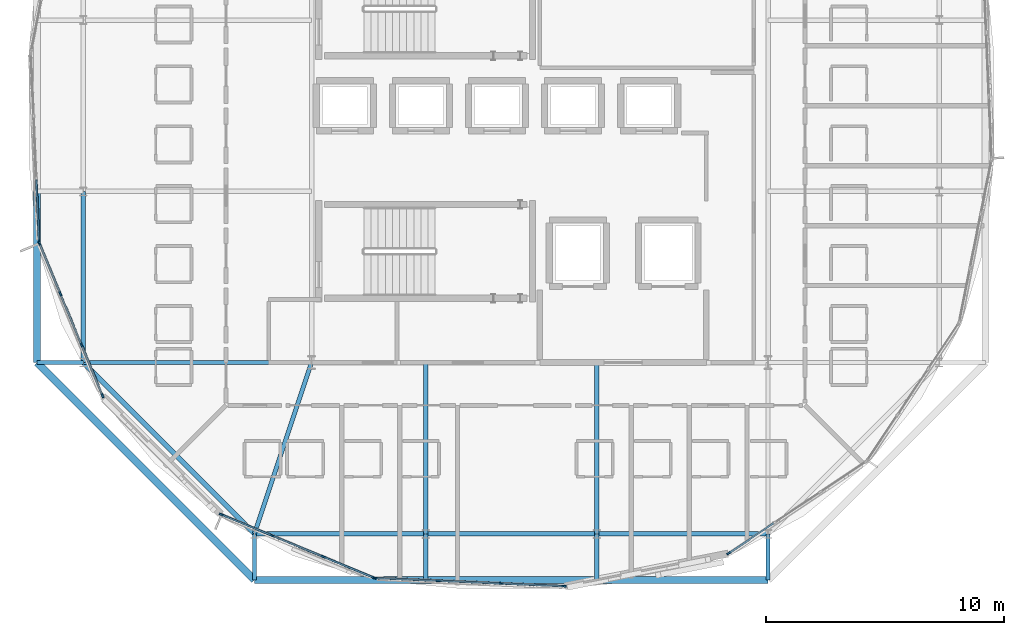
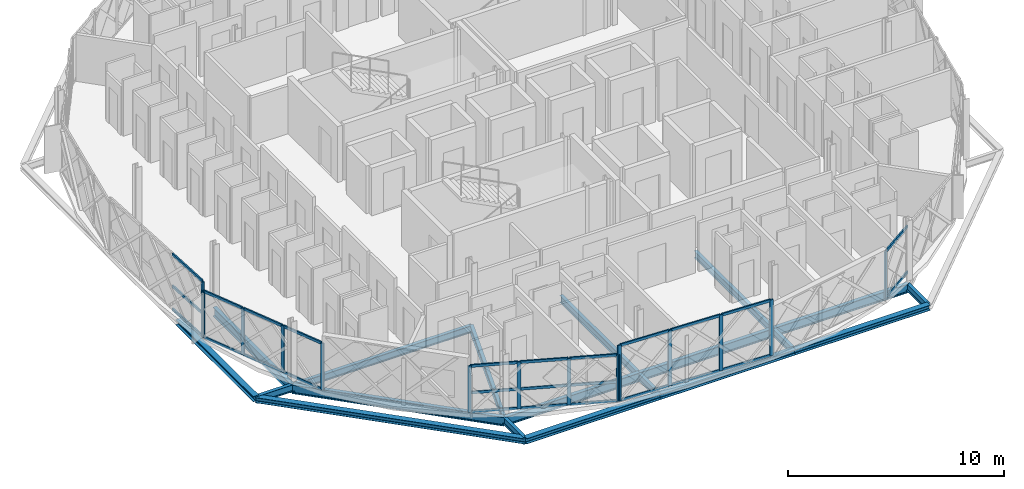
# One storey, part 4 of 24: 40 members, 19 beams, 5 elements without a shape of their own.
"""IFC4 building model written with IfcOpenShell, lengths in metres."""

from ifc_helpers import new_model, si_unit, direction, frame, origin, origin_2d, place, context, subcontext, project, spatial, rectangle, i_section, extrude, material, layer, layer_set, material_profile, profile_set, type_object, element, aggregate, save


model = new_model("IFC4")

# Units and contexts
model_context = context("Model", 3, precision=1e-05, world=origin(), true_north=direction((0.0, 1.0)))
body_context = subcontext(model_context, "Body", "Model", "MODEL_VIEW")
ifc_project = project(units=[si_unit("LENGTHUNIT", "METRE"), si_unit("AREAUNIT", "SQUARE_METRE"), si_unit("VOLUMEUNIT", "CUBIC_METRE"), si_unit("PLANEANGLEUNIT", "RADIAN"), si_unit("MASSUNIT", "GRAM", prefix="KILO")], contexts=[model_context])

# Site, building, storey
site_placement = place(None, origin())
site = spatial("IfcSite", under=ifc_project, at=site_placement, CompositionType="ELEMENT")
building_placement = place(site_placement, origin())
building = spatial("IfcBuilding", under=site, at=building_placement, Name="Zevrakil Square Congress Hotel", CompositionType="ELEMENT")
storey_placement = place(building_placement, frame((0.0, 0.0, 35.10009765625)))
storey = spatial("IfcBuildingStorey", under=building, at=storey_placement, Name="L10", CompositionType="ELEMENT", Elevation=35.10009765625)

# Beams
ifc_material_1 = material(Name="Steel S355", Category="steel")
ifc_material_profile_1 = material_profile(ifc_material_1, i_section(OverallWidth=0.199951171875, OverallDepth=0.5, WebThickness=0.01025390625, FlangeThickness=0.01611328125, FilletRadius=0.02099609375, at=origin_2d()), Name="IPE 500")
ifc_profile_set_1 = profile_set([ifc_material_profile_1], Name="Steel S355")
beam_type_1 = type_object("IfcBeamType", Name="BM-IPE500", PredefinedType="BEAM", material=ifc_profile_set_1)
beam_1_placement = place(storey_placement, frame((134.39990234375, 9.60009765625, -0.47998046875), z_axis=(1.0, 0.0, 0.0), x_axis=(0.0, 1.0, 0.0)))
element("IfcBeam", 1, at=beam_1_placement, inside=storey, type_object=beam_type_1, Name="L10 drum ring girder DRB-01", PredefinedType="BEAM", context=body_context, shape_type="SweptSolid", body=[
    extrude(i_section(OverallWidth=0.199951171875, OverallDepth=0.5, WebThickness=0.01025390625, FlangeThickness=0.01611328125, FilletRadius=0.02099609375, at=origin_2d()), origin(), (0.0, 0.0, 1.0), 7.2001953125),
])
for number, where, z_axis, x_axis, name in (
    (2, (141.60009765625, 9.60009765625, -0.47998046875), (1.0, 0.0, 0.0), (0.0, 1.0, 0.0), "L10 drum ring girder DRB-02"),
    (3, (148.800048828125, 9.60009765625, -0.47998046875), (1.0, 0.0, 0.0), (0.0, 1.0, 0.0), "L10 drum ring girder DRB-03"),
    (4, (127.199951171875, 24.0, -0.47998046875), (0.0, -1.0, 0.0), (1.0, 0.0, 0.0), "L10 drum ring girder DRB-15"),
):
    element("IfcBeam", number, at=place(storey_placement, frame(where, z_axis=z_axis, x_axis=x_axis)), inside=storey, type_object=beam_type_1, Name=name, PredefinedType="BEAM", context=body_context, shape_type="SweptSolid", body=[
        extrude(i_section(OverallWidth=0.199951171875, OverallDepth=0.5, WebThickness=0.01025390625, FlangeThickness=0.01611328125, FilletRadius=0.02099609375, at=origin_2d()), origin(), (0.0, 0.0, 1.0), 7.199951171875),
    ])
beam_2_placement = place(storey_placement, frame((127.199951171875, 16.800048828125, -0.47998046875), z_axis=(0.707106781187, -0.707106781187, 0.0), x_axis=(0.707106781187, 0.707106781187, 0.0)))
element("IfcBeam", 5, at=beam_2_placement, inside=storey, type_object=beam_type_1, Name="L10 drum ring girder DRB-16", PredefinedType="BEAM", context=body_context, shape_type="SweptSolid", body=[
    extrude(i_section(OverallWidth=0.199951171875, OverallDepth=0.5, WebThickness=0.01025390625, FlangeThickness=0.01611328125, FilletRadius=0.02099609375, at=origin_2d()), origin(), (0.0, 0.0, 1.0), 10.182373046875),
])

# Curtain wall, members
ifc_material_2 = material(Name="Aluminium Anodised Bronze", Category="aluminium")
ifc_layer_1 = layer(ifc_material_2, 0.179931640625)
ifc_layer_set_1 = layer_set([ifc_layer_1], Name="Aluminium Anodised Bronze")
curtain_wall_type_1 = type_object("IfcCurtainWallType", Name="CW-L10-720", PredefinedType="USERDEFINED", material=ifc_layer_set_1)
curtain_wall_1_placement = place(storey_placement, origin())
curtain_wall_1 = element("IfcCurtainWall", 6, at=curtain_wall_1_placement, inside=storey, type_object=curtain_wall_type_1, Name="L10 diamond curtain wall CW-L10-0271", ObjectType="GLAZED CURTAIN WALL", PredefinedType="USERDEFINED")
ifc_material_3 = material(Name="Aluminium Anodised Bronze", Category="aluminium")
ifc_material_profile_2 = material_profile(ifc_material_3, rectangle(XDim=0.074951171875, YDim=0.14990234375, at=origin_2d()), Name="ALU 75x150")
ifc_profile_set_2 = profile_set([ifc_material_profile_2], Name="Aluminium Anodised Bronze")
member_type_1 = type_object("IfcMemberType", Name="CWM-ALU75x150", PredefinedType="USERDEFINED", material=ifc_profile_set_2)
member_1_placement = place(storey_placement, frame((154.367919921875, 8.798095703125, 0.02978515625), z_axis=(0.831497842201, 0.555527981667, 0.0), x_axis=(-0.555527981667, 0.831497842201, 0.0)))
member_1 = element("IfcMember", 7, at=member_1_placement, type_object=member_type_1, Name="CW-118 transom 1.1", ObjectType="TRANSOM", PredefinedType="USERDEFINED", context=body_context, shape_type="SweptSolid", body=[
    extrude(rectangle(XDim=0.074951171875, YDim=0.14990234375, at=origin_2d()), origin(), (0.0, 0.0, 1.0), 2.245361328125),
])
member_2_placement = place(storey_placement, frame((154.367919921875, 8.798095703125, 2.619873046875), z_axis=(0.831497842201, 0.555527981667, 0.0), x_axis=(-0.555527981667, 0.831497842201, 0.0)))
member_2 = element("IfcMember", 8, at=member_2_placement, type_object=member_type_1, Name="CW-118 transom 1.2", ObjectType="TRANSOM", PredefinedType="USERDEFINED", context=body_context, shape_type="SweptSolid", body=[
    extrude(rectangle(XDim=0.074951171875, YDim=0.14990234375, at=origin_2d()), origin(), (0.0, 0.0, 1.0), 2.245361328125),
])

ifc_material_4 = material(Name="Aluminium Anodised Bronze", Category="aluminium")
ifc_layer_2 = layer(ifc_material_4, 0.179931640625)
ifc_layer_set_2 = layer_set([ifc_layer_2], Name="Aluminium Anodised Bronze")
curtain_wall_type_2 = type_object("IfcCurtainWallType", Name="CW-L10-840", PredefinedType="USERDEFINED", material=ifc_layer_set_2)
curtain_wall_2_placement = place(storey_placement, origin())
curtain_wall_2 = element("IfcCurtainWall", 9, at=curtain_wall_2_placement, inside=storey, type_object=curtain_wall_type_2, Name="L10 diamond curtain wall CW-L10-0282", ObjectType="GLAZED CURTAIN WALL", PredefinedType="USERDEFINED")
member_3_placement = place(storey_placement, frame((125.229248046875, 24.48583984375, 0.02978515625), z_axis=(0.043087908492, -0.999071284815, 0.0), x_axis=(0.999071284815, 0.043087908492, 0.0)))
member_3 = element("IfcMember", 10, at=member_3_placement, type_object=member_type_1, Name="CW-119 transom 3.1", ObjectType="TRANSOM", PredefinedType="USERDEFINED", context=body_context, shape_type="SweptSolid", body=[
    extrude(rectangle(XDim=0.074951171875, YDim=0.14990234375, at=origin_2d()), origin(), (0.0, 0.0, 1.0), 2.578125),
])
member_4_placement = place(storey_placement, frame((125.229248046875, 24.48583984375, 1.3291015625), z_axis=(0.043087908492, -0.999071284815, 0.0), x_axis=(0.999071284815, 0.043087908492, 0.0)))
member_4 = element("IfcMember", 11, at=member_4_placement, type_object=member_type_1, Name="CW-119 transom 3.2", ObjectType="TRANSOM", PredefinedType="USERDEFINED", context=body_context, shape_type="SweptSolid", body=[
    extrude(rectangle(XDim=0.074951171875, YDim=0.14990234375, at=origin_2d()), origin(), (0.0, 0.0, 1.0), 2.578125),
])
member_5_placement = place(storey_placement, frame((125.229248046875, 24.48583984375, 3.135009765625), z_axis=(0.043087908492, -0.999071284815, 0.0), x_axis=(0.999071284815, 0.043087908492, 0.0)))
member_5 = element("IfcMember", 12, at=member_5_placement, type_object=member_type_1, Name="CW-119 transom 3.3", ObjectType="TRANSOM", PredefinedType="USERDEFINED", context=body_context, shape_type="SweptSolid", body=[
    extrude(rectangle(XDim=0.074951171875, YDim=0.14990234375, at=origin_2d()), origin(), (0.0, 0.0, 1.0), 2.578125),
])

curtain_wall_3_placement = place(storey_placement, origin())
curtain_wall_3 = element("IfcCurtainWall", 13, at=curtain_wall_3_placement, inside=storey, type_object=curtain_wall_type_1, Name="L10 diamond curtain wall CW-L10-0283", ObjectType="GLAZED CURTAIN WALL", PredefinedType="USERDEFINED")
member_6_placement = place(storey_placement, frame((125.365966796875, 21.794677734375, 0.02978515625), z_axis=(0.382668727465, -0.923885623343, 0.0), x_axis=(0.923885623343, 0.382668727465, 0.0)))
member_6 = element("IfcMember", 14, at=member_6_placement, type_object=member_type_1, Name="CW-118 transom 1.1", ObjectType="TRANSOM", PredefinedType="USERDEFINED", context=body_context, shape_type="SweptSolid", body=[
    extrude(rectangle(XDim=0.074951171875, YDim=0.14990234375, at=origin_2d()), origin(), (0.0, 0.0, 1.0), 2.2451171875),
])
member_7_placement = place(storey_placement, frame((125.365966796875, 21.794677734375, 2.619873046875), z_axis=(0.382668727465, -0.923885623343, 0.0), x_axis=(0.923885623343, 0.382668727465, 0.0)))
member_7 = element("IfcMember", 15, at=member_7_placement, type_object=member_type_1, Name="CW-118 transom 1.2", ObjectType="TRANSOM", PredefinedType="USERDEFINED", context=body_context, shape_type="SweptSolid", body=[
    extrude(rectangle(XDim=0.074951171875, YDim=0.14990234375, at=origin_2d()), origin(), (0.0, 0.0, 1.0), 2.2451171875),
])
member_8_placement = place(storey_placement, frame((126.248046875, 19.6650390625, 0.02978515625), z_axis=(0.38274032778, -0.923855963606, 0.0), x_axis=(0.923855963606, 0.38274032778, 0.0)))
member_8 = element("IfcMember", 16, at=member_8_placement, type_object=member_type_1, Name="CW-118 transom 2.1", ObjectType="TRANSOM", PredefinedType="USERDEFINED", context=body_context, shape_type="SweptSolid", body=[
    extrude(rectangle(XDim=0.074951171875, YDim=0.14990234375, at=origin_2d()), origin(), (0.0, 0.0, 1.0), 2.275390625),
])
member_9_placement = place(storey_placement, frame((126.248046875, 19.6650390625, 2.619873046875), z_axis=(0.38274032778, -0.923855963606, 0.0), x_axis=(0.923855963606, 0.38274032778, 0.0)))
member_9 = element("IfcMember", 17, at=member_9_placement, type_object=member_type_1, Name="CW-118 transom 2.2", ObjectType="TRANSOM", PredefinedType="USERDEFINED", context=body_context, shape_type="SweptSolid", body=[
    extrude(rectangle(XDim=0.074951171875, YDim=0.14990234375, at=origin_2d()), origin(), (0.0, 0.0, 1.0), 2.275390625),
])
member_10_placement = place(storey_placement, frame((127.141845703125, 17.507568359375, 0.02978515625), z_axis=(0.382630285552, -0.923901544851, 0.0), x_axis=(0.923901544851, 0.382630285552, 0.0)))
member_10 = element("IfcMember", 18, at=member_10_placement, type_object=member_type_1, Name="CW-118 transom 3.1", ObjectType="TRANSOM", PredefinedType="USERDEFINED", context=body_context, shape_type="SweptSolid", body=[
    extrude(rectangle(XDim=0.074951171875, YDim=0.14990234375, at=origin_2d()), origin(), (0.0, 0.0, 1.0), 2.245361328125),
])
member_11_placement = place(storey_placement, frame((127.141845703125, 17.507568359375, 2.619873046875), z_axis=(0.382630285552, -0.923901544851, 0.0), x_axis=(0.923901544851, 0.382630285552, 0.0)))
member_11 = element("IfcMember", 19, at=member_11_placement, type_object=member_type_1, Name="CW-118 transom 3.2", ObjectType="TRANSOM", PredefinedType="USERDEFINED", context=body_context, shape_type="SweptSolid", body=[
    extrude(rectangle(XDim=0.074951171875, YDim=0.14990234375, at=origin_2d()), origin(), (0.0, 0.0, 1.0), 2.245361328125),
])

curtain_wall_4_placement = place(storey_placement, origin())
curtain_wall_4 = element("IfcCurtainWall", 20, at=curtain_wall_4_placement, inside=storey, type_object=curtain_wall_type_1, Name="L10 diamond curtain wall CW-L10-0284", ObjectType="GLAZED CURTAIN WALL", PredefinedType="USERDEFINED")
member_12_placement = place(storey_placement, frame((133.033203125, 10.401123046875, 0.02978515625), z_axis=(0.923847174836, -0.382761541363, 0.0), x_axis=(0.382761541363, 0.923847174836, 0.0)))
member_12 = element("IfcMember", 21, at=member_12_placement, type_object=member_type_1, Name="CW-118 transom 1.1", ObjectType="TRANSOM", PredefinedType="USERDEFINED", context=body_context, shape_type="SweptSolid", body=[
    extrude(rectangle(XDim=0.074951171875, YDim=0.14990234375, at=origin_2d()), origin(), (0.0, 0.0, 1.0), 2.2451171875),
])
member_13_placement = place(storey_placement, frame((133.033203125, 10.401123046875, 1.11279296875), z_axis=(0.923847174836, -0.382761541363, 0.0), x_axis=(0.382761541363, 0.923847174836, 0.0)))
member_13 = element("IfcMember", 22, at=member_13_placement, type_object=member_type_1, Name="CW-118 transom 1.2", ObjectType="TRANSOM", PredefinedType="USERDEFINED", context=body_context, shape_type="SweptSolid", body=[
    extrude(rectangle(XDim=0.074951171875, YDim=0.14990234375, at=origin_2d()), origin(), (0.0, 0.0, 1.0), 2.2451171875),
])
member_14_placement = place(storey_placement, frame((133.033203125, 10.401123046875, 2.619873046875), z_axis=(0.923847174836, -0.382761541363, 0.0), x_axis=(0.382761541363, 0.923847174836, 0.0)))
member_14 = element("IfcMember", 23, at=member_14_placement, type_object=member_type_1, Name="CW-118 transom 1.3", ObjectType="TRANSOM", PredefinedType="USERDEFINED", context=body_context, shape_type="SweptSolid", body=[
    extrude(rectangle(XDim=0.074951171875, YDim=0.14990234375, at=origin_2d()), origin(), (0.0, 0.0, 1.0), 2.2451171875),
])
member_15_placement = place(storey_placement, frame((135.162841796875, 9.518798828125, 0.02978515625), z_axis=(0.923893901698, -0.382648740238, 0.0), x_axis=(0.382648740238, 0.923893901698, 0.0)))
member_15 = element("IfcMember", 24, at=member_15_placement, type_object=member_type_1, Name="CW-118 transom 2.1", ObjectType="TRANSOM", PredefinedType="USERDEFINED", context=body_context, shape_type="SweptSolid", body=[
    extrude(rectangle(XDim=0.074951171875, YDim=0.14990234375, at=origin_2d()), origin(), (0.0, 0.0, 1.0), 2.275146484375),
])
member_16_placement = place(storey_placement, frame((135.162841796875, 9.518798828125, 1.11279296875), z_axis=(0.923893901698, -0.382648740238, 0.0), x_axis=(0.382648740238, 0.923893901698, 0.0)))
member_16 = element("IfcMember", 25, at=member_16_placement, type_object=member_type_1, Name="CW-118 transom 2.2", ObjectType="TRANSOM", PredefinedType="USERDEFINED", context=body_context, shape_type="SweptSolid", body=[
    extrude(rectangle(XDim=0.074951171875, YDim=0.14990234375, at=origin_2d()), origin(), (0.0, 0.0, 1.0), 2.275146484375),
])
member_17_placement = place(storey_placement, frame((135.162841796875, 9.518798828125, 2.619873046875), z_axis=(0.923893901698, -0.382648740238, 0.0), x_axis=(0.382648740238, 0.923893901698, 0.0)))
member_17 = element("IfcMember", 26, at=member_17_placement, type_object=member_type_1, Name="CW-118 transom 2.3", ObjectType="TRANSOM", PredefinedType="USERDEFINED", context=body_context, shape_type="SweptSolid", body=[
    extrude(rectangle(XDim=0.074951171875, YDim=0.14990234375, at=origin_2d()), origin(), (0.0, 0.0, 1.0), 2.275146484375),
])
member_18_placement = place(storey_placement, frame((137.3203125, 8.625244140625, 0.02978515625), z_axis=(0.923863103406, -0.382723093326, 0.0), x_axis=(0.382723093326, 0.923863103406, 0.0)))
member_18 = element("IfcMember", 27, at=member_18_placement, type_object=member_type_1, Name="CW-118 transom 3.1", ObjectType="TRANSOM", PredefinedType="USERDEFINED", context=body_context, shape_type="SweptSolid", body=[
    extrude(rectangle(XDim=0.074951171875, YDim=0.14990234375, at=origin_2d()), origin(), (0.0, 0.0, 1.0), 2.245361328125),
])
member_19_placement = place(storey_placement, frame((137.3203125, 8.625244140625, 1.11279296875), z_axis=(0.923863103406, -0.382723093326, 0.0), x_axis=(0.382723093326, 0.923863103406, 0.0)))
member_19 = element("IfcMember", 28, at=member_19_placement, type_object=member_type_1, Name="CW-118 transom 3.2", ObjectType="TRANSOM", PredefinedType="USERDEFINED", context=body_context, shape_type="SweptSolid", body=[
    extrude(rectangle(XDim=0.074951171875, YDim=0.14990234375, at=origin_2d()), origin(), (0.0, 0.0, 1.0), 2.245361328125),
])
member_20_placement = place(storey_placement, frame((137.3203125, 8.625244140625, 2.619873046875), z_axis=(0.923863103406, -0.382723093326, 0.0), x_axis=(0.382723093326, 0.923863103406, 0.0)))
member_20 = element("IfcMember", 29, at=member_20_placement, type_object=member_type_1, Name="CW-118 transom 3.3", ObjectType="TRANSOM", PredefinedType="USERDEFINED", context=body_context, shape_type="SweptSolid", body=[
    extrude(rectangle(XDim=0.074951171875, YDim=0.14990234375, at=origin_2d()), origin(), (0.0, 0.0, 1.0), 2.245361328125),
])

curtain_wall_5_placement = place(storey_placement, origin())
curtain_wall_5 = element("IfcCurtainWall", 30, at=curtain_wall_5_placement, inside=storey, type_object=curtain_wall_type_2, Name="L10 diamond curtain wall CW-L10-0285", ObjectType="GLAZED CURTAIN WALL", PredefinedType="USERDEFINED")
member_21_placement = place(storey_placement, frame((139.51025390625, 7.740478515625, 0.02978515625), z_axis=(0.999071284815, -0.043087908492, 0.0), x_axis=(0.043087908492, 0.999071284815, 0.0)))
member_21 = element("IfcMember", 31, at=member_21_placement, type_object=member_type_1, Name="CW-119 transom 1.1", ObjectType="TRANSOM", PredefinedType="USERDEFINED", context=body_context, shape_type="SweptSolid", body=[
    extrude(rectangle(XDim=0.074951171875, YDim=0.14990234375, at=origin_2d()), origin(), (0.0, 0.0, 1.0), 2.578125),
])
member_22_placement = place(storey_placement, frame((139.51025390625, 7.740478515625, 3.135009765625), z_axis=(0.999071284815, -0.043087908492, 0.0), x_axis=(0.043087908492, 0.999071284815, 0.0)))
member_22 = element("IfcMember", 32, at=member_22_placement, type_object=member_type_1, Name="CW-119 transom 1.2", ObjectType="TRANSOM", PredefinedType="USERDEFINED", context=body_context, shape_type="SweptSolid", body=[
    extrude(rectangle(XDim=0.074951171875, YDim=0.14990234375, at=origin_2d()), origin(), (0.0, 0.0, 1.0), 2.578125),
])
member_23_placement = place(storey_placement, frame((142.145751953125, 7.626708984375, 0.02978515625), z_axis=(0.999072512388, -0.043059435557, 0.0), x_axis=(0.043059435557, 0.999072512388, 0.0)))
member_23 = element("IfcMember", 33, at=member_23_placement, type_object=member_type_1, Name="CW-119 transom 2.1", ObjectType="TRANSOM", PredefinedType="USERDEFINED", context=body_context, shape_type="SweptSolid", body=[
    extrude(rectangle(XDim=0.074951171875, YDim=0.14990234375, at=origin_2d()), origin(), (0.0, 0.0, 1.0), 2.608154296875),
])
member_24_placement = place(storey_placement, frame((142.145751953125, 7.626708984375, 3.135009765625), z_axis=(0.999072512388, -0.043059435557, 0.0), x_axis=(0.043059435557, 0.999072512388, 0.0)))
member_24 = element("IfcMember", 34, at=member_24_placement, type_object=member_type_1, Name="CW-119 transom 2.2", ObjectType="TRANSOM", PredefinedType="USERDEFINED", context=body_context, shape_type="SweptSolid", body=[
    extrude(rectangle(XDim=0.074951171875, YDim=0.14990234375, at=origin_2d()), origin(), (0.0, 0.0, 1.0), 2.608154296875),
])
member_25_placement = place(storey_placement, frame((144.811279296875, 7.51171875, 0.02978515625), z_axis=(0.999071284815, -0.043087908492, 0.0), x_axis=(0.043087908492, 0.999071284815, 0.0)))
member_25 = element("IfcMember", 35, at=member_25_placement, type_object=member_type_1, Name="CW-119 transom 3.1", ObjectType="TRANSOM", PredefinedType="USERDEFINED", context=body_context, shape_type="SweptSolid", body=[
    extrude(rectangle(XDim=0.074951171875, YDim=0.14990234375, at=origin_2d()), origin(), (0.0, 0.0, 1.0), 2.578125),
])
member_26_placement = place(storey_placement, frame((144.811279296875, 7.51171875, 3.135009765625), z_axis=(0.999071284815, -0.043087908492, 0.0), x_axis=(0.043087908492, 0.999071284815, 0.0)))
member_26 = element("IfcMember", 36, at=member_26_placement, type_object=member_type_1, Name="CW-119 transom 3.2", ObjectType="TRANSOM", PredefinedType="USERDEFINED", context=body_context, shape_type="SweptSolid", body=[
    extrude(rectangle(XDim=0.074951171875, YDim=0.14990234375, at=origin_2d()), origin(), (0.0, 0.0, 1.0), 2.578125),
])

# Member
ifc_material_5 = material(Name="Aluminium Anodised Bronze", Category="aluminium")
ifc_material_profile_3 = material_profile(ifc_material_5, rectangle(XDim=0.074951171875, YDim=0.179931640625, at=origin_2d()), Name="ALU 75x180")
ifc_profile_set_3 = profile_set([ifc_material_profile_3], Name="Aluminium Anodised Bronze")
member_type_2 = type_object("IfcMemberType", Name="CWM-ALU75x180", PredefinedType="MULLION", material=ifc_profile_set_3)
member_27_placement = place(storey_placement, frame((154.343017578125, 8.78125, 0.0), z_axis=(0.0, 0.0, 1.0), x_axis=(-0.555576098128, 0.831465693332, 0.0)))
member_27 = element("IfcMember", 37, at=member_27_placement, type_object=member_type_2, Name="CW-118 mullion 1", PredefinedType="MULLION", context=body_context, shape_type="SweptSolid", body=[
    extrude(rectangle(XDim=0.074951171875, YDim=0.179931640625, at=origin_2d()), origin(), (0.0, 0.0, 1.0), 2.64990234375),
])

aggregate(curtain_wall_1, [member_27, member_1, member_2])

member_28_placement = place(storey_placement, frame((125.341796875, 21.880126953125, 0.0), z_axis=(0.0, 0.0, 1.0), x_axis=(0.999070669923, 0.043102163504, 0.0)))
member_28 = element("IfcMember", 38, at=member_28_placement, type_object=member_type_2, Name="CW-119 mullion 4", PredefinedType="MULLION", context=body_context, shape_type="SweptSolid", body=[
    extrude(rectangle(XDim=0.074951171875, YDim=0.179931640625, at=origin_2d()), origin(), (0.0, 0.0, 1.0), 3.164794921875),
])

aggregate(curtain_wall_2, [member_28, member_3, member_4, member_5])

member_29_placement = place(storey_placement, frame((125.3544921875, 21.822509765625, 0.0), z_axis=(0.0, 0.0, 1.0), x_axis=(0.92387939537, 0.382683763454, 0.0)))
member_29 = element("IfcMember", 39, at=member_29_placement, type_object=member_type_2, Name="CW-118 mullion 1", PredefinedType="MULLION", context=body_context, shape_type="SweptSolid", body=[
    extrude(rectangle(XDim=0.074951171875, YDim=0.179931640625, at=origin_2d()), origin(), (0.0, 0.0, 1.0), 2.64990234375),
])

member_30_placement = place(storey_placement, frame((126.236572265625, 19.692626953125, 0.0), z_axis=(0.0, 0.0, 1.0), x_axis=(0.92387939537, 0.382683763454, 0.0)))
member_30 = element("IfcMember", 40, at=member_30_placement, type_object=member_type_2, Name="CW-118 mullion 2", PredefinedType="MULLION", context=body_context, shape_type="SweptSolid", body=[
    extrude(rectangle(XDim=0.074951171875, YDim=0.179931640625, at=origin_2d()), origin(), (0.0, 0.0, 1.0), 2.64990234375),
])

member_31_placement = place(storey_placement, frame((127.13037109375, 17.53515625, 0.0), z_axis=(0.0, 0.0, 1.0), x_axis=(0.92387939537, 0.382683763454, 0.0)))
member_31 = element("IfcMember", 41, at=member_31_placement, type_object=member_type_2, Name="CW-118 mullion 3", PredefinedType="MULLION", context=body_context, shape_type="SweptSolid", body=[
    extrude(rectangle(XDim=0.074951171875, YDim=0.179931640625, at=origin_2d()), origin(), (0.0, 0.0, 1.0), 2.64990234375),
])

member_32_placement = place(storey_placement, frame((128.012451171875, 15.405517578125, 0.0), z_axis=(0.0, 0.0, 1.0), x_axis=(0.92387939537, 0.382683763454, 0.0)))
member_32 = element("IfcMember", 42, at=member_32_placement, type_object=member_type_2, Name="CW-118 mullion 4", PredefinedType="MULLION", context=body_context, shape_type="SweptSolid", body=[
    extrude(rectangle(XDim=0.074951171875, YDim=0.179931640625, at=origin_2d()), origin(), (0.0, 0.0, 1.0), 2.64990234375),
])

aggregate(curtain_wall_3, [member_29, member_30, member_31, member_32, member_6, member_7, member_8, member_9, member_10, member_11])

member_33_placement = place(storey_placement, frame((133.00537109375, 10.41259765625, 0.0), z_axis=(0.0, 0.0, 1.0), x_axis=(0.382683763454, 0.92387939537, 0.0)))
member_33 = element("IfcMember", 43, at=member_33_placement, type_object=member_type_2, Name="CW-118 mullion 1", PredefinedType="MULLION", context=body_context, shape_type="SweptSolid", body=[
    extrude(rectangle(XDim=0.074951171875, YDim=0.179931640625, at=origin_2d()), origin(), (0.0, 0.0, 1.0), 2.64990234375),
])

member_34_placement = place(storey_placement, frame((135.13525390625, 9.5302734375, 0.0), z_axis=(0.0, 0.0, 1.0), x_axis=(0.382683763454, 0.92387939537, 0.0)))
member_34 = element("IfcMember", 44, at=member_34_placement, type_object=member_type_2, Name="CW-118 mullion 2", PredefinedType="MULLION", context=body_context, shape_type="SweptSolid", body=[
    extrude(rectangle(XDim=0.074951171875, YDim=0.179931640625, at=origin_2d()), origin(), (0.0, 0.0, 1.0), 2.64990234375),
])

member_35_placement = place(storey_placement, frame((137.292724609375, 8.63671875, 0.0), z_axis=(0.0, 0.0, 1.0), x_axis=(0.382683763454, 0.92387939537, 0.0)))
member_35 = element("IfcMember", 45, at=member_35_placement, type_object=member_type_2, Name="CW-118 mullion 3", PredefinedType="MULLION", context=body_context, shape_type="SweptSolid", body=[
    extrude(rectangle(XDim=0.074951171875, YDim=0.179931640625, at=origin_2d()), origin(), (0.0, 0.0, 1.0), 2.64990234375),
])

member_36_placement = place(storey_placement, frame((139.42236328125, 7.75439453125, 0.0), z_axis=(0.0, 0.0, 1.0), x_axis=(0.382683763454, 0.92387939537, 0.0)))
member_36 = element("IfcMember", 46, at=member_36_placement, type_object=member_type_2, Name="CW-118 mullion 4", PredefinedType="MULLION", context=body_context, shape_type="SweptSolid", body=[
    extrude(rectangle(XDim=0.074951171875, YDim=0.179931640625, at=origin_2d()), origin(), (0.0, 0.0, 1.0), 2.64990234375),
])

aggregate(curtain_wall_4, [member_33, member_34, member_35, member_36, member_12, member_13, member_14, member_15, member_16, member_17, member_18, member_19, member_20])

member_37_placement = place(storey_placement, frame((139.480224609375, 7.74169921875, 0.0), z_axis=(0.0, 0.0, 1.0), x_axis=(0.043102163504, 0.999070669923, 0.0)))
member_37 = element("IfcMember", 47, at=member_37_placement, type_object=member_type_2, Name="CW-119 mullion 1", PredefinedType="MULLION", context=body_context, shape_type="SweptSolid", body=[
    extrude(rectangle(XDim=0.074951171875, YDim=0.179931640625, at=origin_2d()), origin(), (0.0, 0.0, 1.0), 3.164794921875),
])

member_38_placement = place(storey_placement, frame((142.11572265625, 7.6279296875, 0.0), z_axis=(0.0, 0.0, 1.0), x_axis=(0.043102163504, 0.999070669923, 0.0)))
member_38 = element("IfcMember", 48, at=member_38_placement, type_object=member_type_2, Name="CW-119 mullion 2", PredefinedType="MULLION", context=body_context, shape_type="SweptSolid", body=[
    extrude(rectangle(XDim=0.074951171875, YDim=0.179931640625, at=origin_2d()), origin(), (0.0, 0.0, 1.0), 3.164794921875),
])

member_39_placement = place(storey_placement, frame((144.781494140625, 7.512939453125, 0.0), z_axis=(0.0, 0.0, 1.0), x_axis=(0.043102163504, 0.999070669923, 0.0)))
member_39 = element("IfcMember", 49, at=member_39_placement, type_object=member_type_2, Name="CW-119 mullion 3", PredefinedType="MULLION", context=body_context, shape_type="SweptSolid", body=[
    extrude(rectangle(XDim=0.074951171875, YDim=0.179931640625, at=origin_2d()), origin(), (0.0, 0.0, 1.0), 3.164794921875),
])

member_40_placement = place(storey_placement, frame((147.4169921875, 7.3994140625, 0.0), z_axis=(0.0, 0.0, 1.0), x_axis=(0.043102163504, 0.999070669923, 0.0)))
member_40 = element("IfcMember", 50, at=member_40_placement, type_object=member_type_2, Name="CW-119 mullion 4", PredefinedType="MULLION", context=body_context, shape_type="SweptSolid", body=[
    extrude(rectangle(XDim=0.074951171875, YDim=0.179931640625, at=origin_2d()), origin(), (0.0, 0.0, 1.0), 3.164794921875),
])

aggregate(curtain_wall_5, [member_37, member_38, member_39, member_40, member_21, member_22, member_23, member_24, member_25, member_26])

# Beams
ifc_material_6 = material(Name="Steel S355", Category="steel")
ifc_material_profile_4 = material_profile(ifc_material_6, i_section(OverallWidth=0.179931640625, OverallDepth=0.39990234375, WebThickness=0.008544921875, FlangeThickness=0.013427734375, FilletRadius=0.02099609375, at=origin_2d()), Name="IPE 400")
ifc_profile_set_4 = profile_set([ifc_material_profile_4], Name="Steel S355")
beam_type_2 = type_object("IfcBeamType", Name="JST-IPE400", PredefinedType="JOIST", material=ifc_profile_set_4)
beam_3_placement = place(storey_placement, frame((136.800048828125, 16.800048828125, -0.43017578125), z_axis=(-0.316247066962, -0.948676864184, 0.0), x_axis=(0.948676864184, -0.316247066962, 0.0)))
element("IfcBeam", 51, at=beam_3_placement, inside=storey, type_object=beam_type_2, Name="L10 drum radial floor beam DRI-01", PredefinedType="JOIST", context=body_context, shape_type="SweptSolid", body=[
    extrude(i_section(OverallWidth=0.179931640625, OverallDepth=0.39990234375, WebThickness=0.008544921875, FlangeThickness=0.013427734375, FilletRadius=0.02099609375, at=origin_2d()), origin(), (0.0, 0.0, 1.0), 7.58935546875),
])
beam_4_placement = place(storey_placement, frame((134.39990234375, 9.60009765625, -0.43017578125), z_axis=(0.0, -1.0, 0.0), x_axis=(1.0, 0.0, 0.0)))
element("IfcBeam", 52, at=beam_4_placement, inside=storey, type_object=beam_type_2, Name="L10 drum radial edge cantilever beam DRO-01", PredefinedType="JOIST", context=body_context, shape_type="SweptSolid", body=[
    extrude(i_section(OverallWidth=0.179931640625, OverallDepth=0.39990234375, WebThickness=0.008544921875, FlangeThickness=0.013427734375, FilletRadius=0.02099609375, at=origin_2d()), origin(), (0.0, 0.0, 1.0), 1.942138671875),
])
beam_5_placement = place(storey_placement, frame((141.60009765625, 16.800048828125, -0.43017578125), z_axis=(0.0, -1.0, 0.0), x_axis=(1.0, 0.0, 0.0)))
element("IfcBeam", 53, at=beam_5_placement, inside=storey, type_object=beam_type_2, Name="L10 drum radial floor beam DRI-02", PredefinedType="JOIST", context=body_context, shape_type="SweptSolid", body=[
    extrude(i_section(OverallWidth=0.179931640625, OverallDepth=0.39990234375, WebThickness=0.008544921875, FlangeThickness=0.013427734375, FilletRadius=0.02099609375, at=origin_2d()), origin(), (0.0, 0.0, 1.0), 7.199951171875),
])
beam_6_placement = place(storey_placement, frame((141.60009765625, 9.60009765625, -0.43017578125), z_axis=(0.0, -1.0, 0.0), x_axis=(1.0, 0.0, 0.0)))
element("IfcBeam", 54, at=beam_6_placement, inside=storey, type_object=beam_type_2, Name="L10 drum radial edge cantilever beam DRO-02", PredefinedType="JOIST", context=body_context, shape_type="SweptSolid", body=[
    extrude(i_section(OverallWidth=0.179931640625, OverallDepth=0.39990234375, WebThickness=0.008544921875, FlangeThickness=0.013427734375, FilletRadius=0.02099609375, at=origin_2d()), origin(), (0.0, 0.0, 1.0), 1.942138671875),
])
beam_7_placement = place(storey_placement, frame((148.800048828125, 16.800048828125, -0.43017578125), z_axis=(0.0, -1.0, 0.0), x_axis=(1.0, 0.0, 0.0)))
element("IfcBeam", 55, at=beam_7_placement, inside=storey, type_object=beam_type_2, Name="L10 drum radial floor beam DRI-03", PredefinedType="JOIST", context=body_context, shape_type="SweptSolid", body=[
    extrude(i_section(OverallWidth=0.179931640625, OverallDepth=0.39990234375, WebThickness=0.008544921875, FlangeThickness=0.013427734375, FilletRadius=0.02099609375, at=origin_2d()), origin(), (0.0, 0.0, 1.0), 7.199951171875),
])
for number, where, z_axis, x_axis, name in (
    (56, (148.800048828125, 9.60009765625, -0.43017578125), (0.0, -1.0, 0.0), (1.0, 0.0, 0.0), "L10 drum radial edge cantilever beam DRO-03"),
    (57, (156.0, 9.60009765625, -0.43017578125), (0.0, -1.0, 0.0), (1.0, 0.0, 0.0), "L10 drum radial edge cantilever beam DRO-04"),
):
    element("IfcBeam", number, at=place(storey_placement, frame(where, z_axis=z_axis, x_axis=x_axis)), inside=storey, type_object=beam_type_2, Name=name, PredefinedType="JOIST", context=body_context, shape_type="SweptSolid", body=[
        extrude(i_section(OverallWidth=0.179931640625, OverallDepth=0.39990234375, WebThickness=0.008544921875, FlangeThickness=0.013427734375, FilletRadius=0.02099609375, at=origin_2d()), origin(), (0.0, 0.0, 1.0), 1.942138671875),
    ])
beam_8_placement = place(storey_placement, frame((136.800048828125, 16.800048828125, -0.43017578125), z_axis=(-1.0, 0.0, 0.0), x_axis=(0.0, -1.0, 0.0)))
element("IfcBeam", 58, at=beam_8_placement, inside=storey, type_object=beam_type_2, Name="L10 drum radial floor beam DRI-16", PredefinedType="JOIST", context=body_context, shape_type="SweptSolid", body=[
    extrude(i_section(OverallWidth=0.179931640625, OverallDepth=0.39990234375, WebThickness=0.008544921875, FlangeThickness=0.013427734375, FilletRadius=0.02099609375, at=origin_2d()), origin(), (0.0, 0.0, 1.0), 9.60009765625),
])
beam_9_placement = place(storey_placement, frame((127.199951171875, 16.800048828125, -0.43017578125), z_axis=(-1.0, 0.0, 0.0), x_axis=(0.0, -1.0, 0.0)))
element("IfcBeam", 59, at=beam_9_placement, inside=storey, type_object=beam_type_2, Name="L10 drum radial edge cantilever beam DRO-16", PredefinedType="JOIST", context=body_context, shape_type="SweptSolid", body=[
    extrude(i_section(OverallWidth=0.179931640625, OverallDepth=0.39990234375, WebThickness=0.008544921875, FlangeThickness=0.013427734375, FilletRadius=0.02099609375, at=origin_2d()), origin(), (0.0, 0.0, 1.0), 1.94189453125),
])
ifc_material_7 = material(Name="Steel S355", Category="steel")
ifc_material_profile_5 = material_profile(ifc_material_7, i_section(OverallWidth=0.300048828125, OverallDepth=0.300048828125, WebThickness=0.010986328125, FlangeThickness=0.01904296875, FilletRadius=0.027099609375, at=origin_2d()), Name="HEB 300")
ifc_profile_set_5 = profile_set([ifc_material_profile_5], Name="Steel S355")
beam_type_3 = type_object("IfcBeamType", Name="SPD-RHS250", PredefinedType="SPANDREL", material=ifc_profile_set_5)
beam_10_placement = place(storey_placement, frame((134.39990234375, 7.657958984375, -0.380126953125), z_axis=(1.0, 0.0, 0.0), x_axis=(0.0, 1.0, 0.0)))
element("IfcBeam", 60, at=beam_10_placement, inside=storey, type_object=beam_type_3, Name="L10 drum edge spandrel beam DSP-00", PredefinedType="SPANDREL", context=body_context, shape_type="SweptSolid", body=[
    extrude(i_section(OverallWidth=0.300048828125, OverallDepth=0.300048828125, WebThickness=0.010986328125, FlangeThickness=0.01904296875, FilletRadius=0.027099609375, at=origin_2d()), origin(), (0.0, 0.0, 1.0), 7.2001953125),
])
for number, where, z_axis, x_axis, name in (
    (61, (141.60009765625, 7.657958984375, -0.380126953125), (1.0, 0.0, 0.0), (0.0, 1.0, 0.0), "L10 drum edge spandrel beam DSP-01"),
    (62, (148.800048828125, 7.657958984375, -0.380126953125), (1.0, 0.0, 0.0), (0.0, 1.0, 0.0), "L10 drum edge spandrel beam DSP-02"),
    (63, (125.258056640625, 24.0, -0.380126953125), (0.0, -1.0, 0.0), (1.0, 0.0, 0.0), "L10 drum edge spandrel beam DSP-14"),
):
    element("IfcBeam", number, at=place(storey_placement, frame(where, z_axis=z_axis, x_axis=x_axis)), inside=storey, type_object=beam_type_3, Name=name, PredefinedType="SPANDREL", context=body_context, shape_type="SweptSolid", body=[
        extrude(i_section(OverallWidth=0.300048828125, OverallDepth=0.300048828125, WebThickness=0.010986328125, FlangeThickness=0.01904296875, FilletRadius=0.027099609375, at=origin_2d()), origin(), (0.0, 0.0, 1.0), 7.199951171875),
    ])
beam_11_placement = place(storey_placement, frame((125.258056640625, 16.800048828125, -0.380126953125), z_axis=(0.707097339311, -0.707116222936, 0.0), x_axis=(0.707116222936, 0.707097339311, 0.0)))
element("IfcBeam", 64, at=beam_11_placement, inside=storey, type_object=beam_type_3, Name="L10 drum edge spandrel beam DSP-15", PredefinedType="SPANDREL", context=body_context, shape_type="SweptSolid", body=[
    extrude(i_section(OverallWidth=0.300048828125, OverallDepth=0.300048828125, WebThickness=0.010986328125, FlangeThickness=0.01904296875, FilletRadius=0.027099609375, at=origin_2d()), origin(), (0.0, 0.0, 1.0), 12.9287109375),
])

save(model, "model.ifc")
